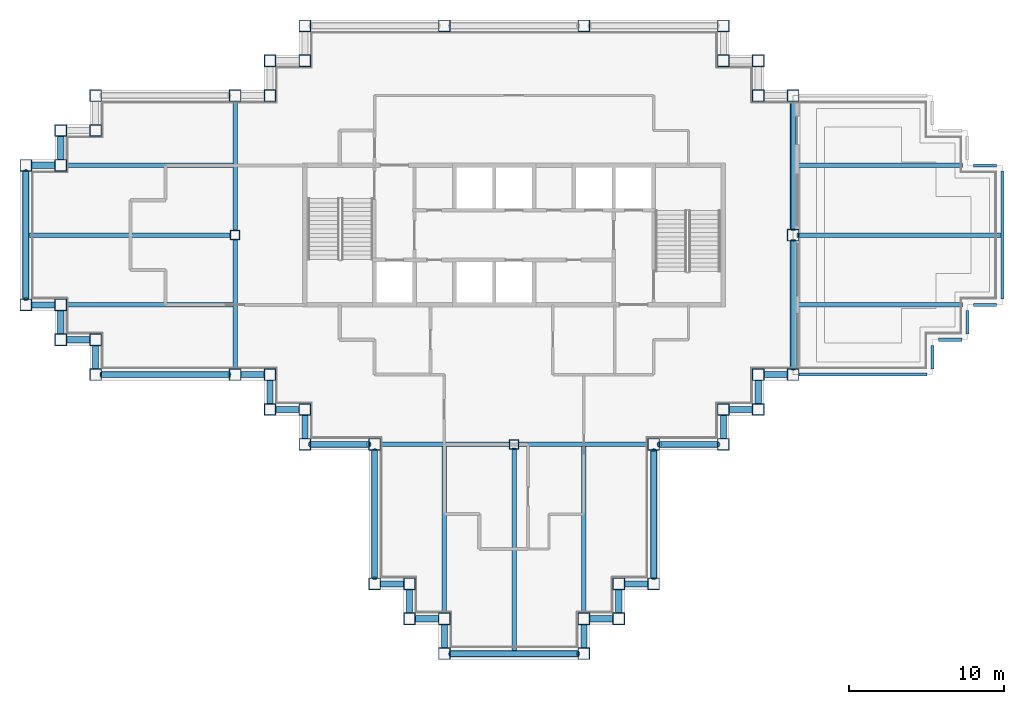
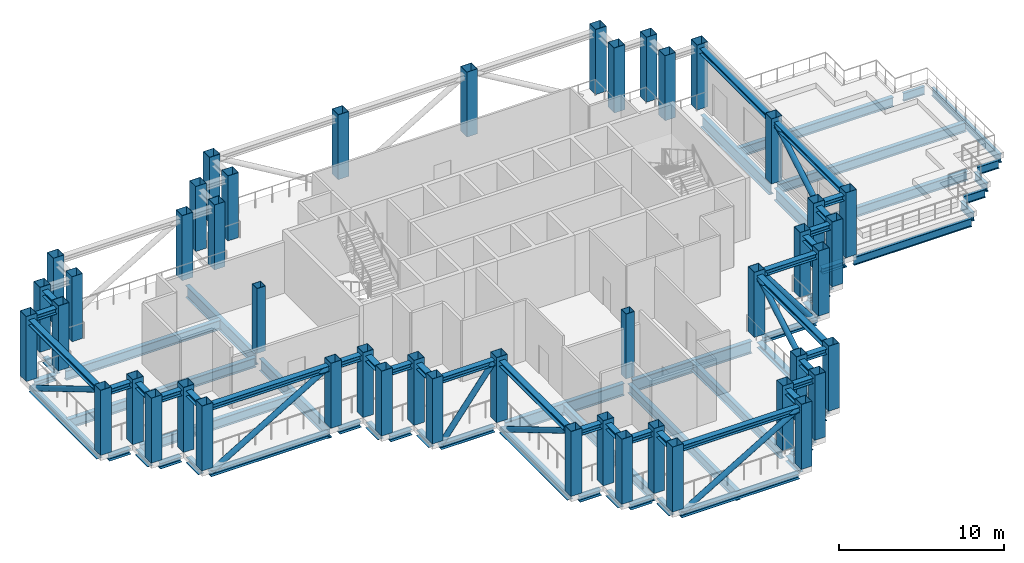
# One storey, part 1 of 10: 82 beams, 47 columns, 8 members.
"""IFC4 building model written with IfcOpenShell, lengths in metres."""

import ifcopenshell
import ifcopenshell.guid

model = None  # the IFC model being written
_history = None  # IfcOwnerHistory: only IFC2X3 demands one
_inside = {}  # id of a spatial element -> (the spatial element, [elements in it])
_under = {}  # id of a project, library or spatial element -> (it, [spatial elements below it])
_declared = {}  # id of a project -> (the project, [libraries it declares])
_typed = {}  # id of a type object -> (the type object, [elements of that type])
_made_of = {}  # id of a material, layer set ... -> (it, [elements and type objects made of it])


def new_model(schema):
    """Start an empty IFC model of exactly this schema.

    Asked for "IFC4X3", IfcOpenShell would pick the latest addendum, in which some entities
    have other attributes; the version numbers below select the first issue.
    IFC2X3 requires an IfcOwnerHistory on every rooted entity: one is made here for all.
    """
    global model, _history
    if schema == "IFC4X3":
        model = ifcopenshell.file(schema_version=(4, 3, 0, 0))
    else:
        model = ifcopenshell.file(schema=schema)
    _inside.clear()
    _under.clear()
    _declared.clear()
    _typed.clear()
    _made_of.clear()
    _history = None
    if model.schema == "IFC2X3":
        org = make("IfcOrganization", Name="unknown")
        user = make(
            "IfcPersonAndOrganization",
            ThePerson=make("IfcPerson", FamilyName="unknown"),
            TheOrganization=org,
        )
        app = make(
            "IfcApplication",
            ApplicationDeveloper=org,
            Version="unknown",
            ApplicationFullName="unknown",
            ApplicationIdentifier="unknown",
        )
        _history = make(
            "IfcOwnerHistory",
            OwningUser=user,
            OwningApplication=app,
            ChangeAction="ADDED",
            CreationDate=0,
        )
    return model


def make(cls, **values):
    """One entity of the class cls with the attributes given. An attribute that is None is left unset."""
    return model.create_entity(
        cls, **{name: value for name, value in values.items() if value is not None}
    )


def rooted(cls, **values):
    """An entity with a GlobalId (a new one), such as an element, a storey or a relation."""
    return make(cls, GlobalId=ifcopenshell.guid.new(), OwnerHistory=_history, **values)


def si_unit(unit_type, name, prefix=None):
    """IfcSIUnit, for example si_unit("LENGTHUNIT", "METRE", prefix="MILLI")."""
    return make("IfcSIUnit", UnitType=unit_type, Prefix=prefix, Name=name)


def assignment(units):
    """IfcUnitAssignment: the units of a project."""
    return None if units is None else make("IfcUnitAssignment", Units=units)


def point(xyz):
    """IfcCartesianPoint."""
    return None if xyz is None else make("IfcCartesianPoint", Coordinates=xyz)


def direction(xyz):
    """IfcDirection."""
    return None if xyz is None else make("IfcDirection", DirectionRatios=xyz)


def frame(location, z_axis=None, x_axis=None):
    """IfcAxis2Placement3D, a coordinate frame: its origin and axes. An axis left out is left unset."""
    return make(
        "IfcAxis2Placement3D",
        Location=point(location),
        Axis=direction(z_axis),
        RefDirection=direction(x_axis),
    )


def frame_2d(location, x_axis=None):
    """IfcAxis2Placement2D, a coordinate frame in the plane: its origin and x axis."""
    return make(
        "IfcAxis2Placement2D", Location=point(location), RefDirection=direction(x_axis)
    )


def origin():
    """The frame at (0, 0, 0) with its axes left unset."""
    return frame((0.0, 0.0, 0.0))


def origin_2d():
    """The frame at (0, 0) in the plane with its x axis left unset."""
    return frame_2d((0.0, 0.0))


def place(relative_to, where):
    """IfcLocalPlacement: puts the frame where relative to a parent placement (None: the world)."""
    return make(
        "IfcLocalPlacement", PlacementRelTo=relative_to, RelativePlacement=where
    )


def context(
    kind, dimensions, precision=None, world=None, true_north=None, identifier=None
):
    """IfcGeometricRepresentationContext, for example the 3D "Model" context."""
    return make(
        "IfcGeometricRepresentationContext",
        ContextIdentifier=identifier,
        ContextType=kind,
        CoordinateSpaceDimension=dimensions,
        Precision=precision,
        WorldCoordinateSystem=world,
        TrueNorth=true_north,
    )


def subcontext(parent, identifier, kind, view, scale=None):
    """IfcGeometricRepresentationSubContext, for example "Body" below "Model"."""
    return make(
        "IfcGeometricRepresentationSubContext",
        ContextIdentifier=identifier,
        ContextType=kind,
        ParentContext=parent,
        TargetScale=scale,
        TargetView=view,
    )


def project(units=None, contexts=None):
    """IfcProject with its units and contexts."""
    return rooted(
        "IfcProject",
        Name="project",
        RepresentationContexts=contexts,
        UnitsInContext=assignment(units),
    )


def spatial(cls, under=None, at=None, **own):
    """A site, building, storey or space (cls), placed at a placement, below another one or the project."""
    s = rooted(cls, ObjectPlacement=at, **own)
    if under is not None:
        _under.setdefault(under.id(), (under, []))[1].append(s)
    return s


def profile(cls, at=None, kind="AREA", **sizes):
    """A parametric profile (cls). Its sizes go by their IFC names, for example OverallWidth=200.0."""
    return make(cls, ProfileType=kind, Position=at, **sizes)


def hollow_rectangle(**sizes):
    """IfcRectangleHollowProfileDef."""
    return profile("IfcRectangleHollowProfileDef", **sizes)


def hollow_circle(**sizes):
    """IfcCircleHollowProfileDef."""
    return profile("IfcCircleHollowProfileDef", **sizes)


def i_section(**sizes):
    """IfcIShapeProfileDef."""
    return profile("IfcIShapeProfileDef", **sizes)


def extrude(swept, where, along, depth):
    """IfcExtrudedAreaSolid: the profile swept, set in the frame where, extruded along a direction by depth."""
    return make(
        "IfcExtrudedAreaSolid",
        SweptArea=swept,
        Position=where,
        ExtrudedDirection=direction(along),
        Depth=depth,
    )


def shape(context_of_items, identifier, shape_type, items):
    """IfcShapeRepresentation: the items that make up one representation, for example the "Body"."""
    return make(
        "IfcShapeRepresentation",
        ContextOfItems=context_of_items,
        RepresentationIdentifier=identifier,
        RepresentationType=shape_type,
        Items=items,
    )


def material(Name=None, Category=None):
    """IfcMaterial."""
    return make("IfcMaterial", Name=Name, Category=Category)


def material_profile(
    of_material, cross_section, Name=None, Category=None, Priority=None
):
    """IfcMaterialProfile: a cross section and its material."""
    return make(
        "IfcMaterialProfile",
        Name=Name,
        Material=of_material,
        Profile=cross_section,
        Priority=Priority,
        Category=Category,
    )


def profile_set(profiles, Name=None, composite=None):
    """IfcMaterialProfileSet."""
    return make(
        "IfcMaterialProfileSet",
        Name=Name,
        MaterialProfiles=profiles,
        CompositeProfile=composite,
    )


def made_of(thing, what):
    """Note that an element or type object is made of a material, layer set ...; save() writes the relation."""
    if what is not None:
        _made_of.setdefault(what.id(), (what, []))[1].append(thing)
    return thing


def type_object(cls, material=None, **own):
    """A type object (cls), such as IfcWallType, which elements share."""
    return made_of(rooted(cls, **own), material)


def element(
    cls,
    number,
    at=None,
    inside=None,
    cuts=None,
    type_object=None,
    material=None,
    context=None,
    identifier="Body",
    shape_type=None,
    held_by="IfcProductDefinitionShape",
    body=None,
    shapes=None,
    **own,
):
    """One element of the class cls, such as IfcWall. Its Tag is "e" and its number.

    at: its placement. inside: the storey or other place that contains it. cuts: it is an
    opening in that element (IfcRelVoidsElement). A single representation is given by context,
    identifier, shape_type and body (its items); several are given by shapes. held_by: the class
    of the entity that holds the representations. save() writes the other relations.
    """
    e = rooted(cls, Tag="e%d" % number, ObjectPlacement=at, **own)
    if body is not None:
        shapes = [shape(context, identifier, shape_type, body)]
    if shapes is not None:
        e.Representation = make(held_by, Representations=shapes)
    if inside is not None:
        _inside.setdefault(inside.id(), (inside, []))[1].append(e)
    if cuts is not None:
        rooted(
            "IfcRelVoidsElement", RelatingBuildingElement=cuts, RelatedOpeningElement=e
        )
    if type_object is not None:
        _typed.setdefault(type_object.id(), (type_object, []))[1].append(e)
    return made_of(e, material)


def aggregate(whole, parts):
    """IfcRelAggregates: a whole, such as a stair, and the parts it consists of."""
    return rooted("IfcRelAggregates", RelatingObject=whole, RelatedObjects=parts)


def save(model, path):
    """Write the relations noted so far, then the file.

    IfcRelAggregates (storeys below a building ...), IfcRelContainedInSpatialStructure (elements
    in a storey), IfcRelDefinesByType, IfcRelAssociatesMaterial and IfcRelDeclares: one each for
    every whole, place, type object, material and project.
    """
    for whole, parts in _under.values():
        aggregate(whole, parts)
    for where, things in _inside.values():
        rooted(
            "IfcRelContainedInSpatialStructure",
            RelatedElements=things,
            RelatingStructure=where,
        )
    for kind, things in _typed.values():
        rooted("IfcRelDefinesByType", RelatedObjects=things, RelatingType=kind)
    for what, things in _made_of.values():
        rooted("IfcRelAssociatesMaterial", RelatedObjects=things, RelatingMaterial=what)
    for by, libraries in _declared.values():
        rooted("IfcRelDeclares", RelatingContext=by, RelatedDefinitions=libraries)
    model.write(path)


model = new_model("IFC4")

# Units and contexts
model_context = context("Model", 3, precision=1e-05, world=origin(), true_north=direction((0.0, 1.0)))
body_context = subcontext(model_context, "Body", "Model", "MODEL_VIEW")
ifc_project = project(units=[si_unit("LENGTHUNIT", "METRE"), si_unit("AREAUNIT", "SQUARE_METRE"), si_unit("VOLUMEUNIT", "CUBIC_METRE"), si_unit("PLANEANGLEUNIT", "RADIAN"), si_unit("MASSUNIT", "GRAM", prefix="KILO")], contexts=[model_context])

# Site, building, storey
site_placement = place(None, origin())
site = spatial("IfcSite", under=ifc_project, at=site_placement, CompositionType="ELEMENT")
building_placement = place(site_placement, origin())
building = spatial("IfcBuilding", under=site, at=building_placement, Name="Caravel Reach Hotel and Residences", CompositionType="ELEMENT")
storey_placement = place(building_placement, frame((0.0, 0.0, 187.60009765625)))
storey = spatial("IfcBuildingStorey", under=building, at=storey_placement, Name="L47", CompositionType="ELEMENT", Elevation=187.60009765625)

# Columns
ifc_material_1 = material(Name="Concrete-filled steel tube Q390B with Concrete C60 infill", Category="concrete")
ifc_material_profile_1 = material_profile(ifc_material_1, hollow_rectangle(XDim=0.60009765625, YDim=0.60009765625, WallThickness=0.02001953125, at=origin_2d()), Name="RHS 600x600x20")
ifc_profile_set_1 = profile_set([ifc_material_profile_1], Name="Concrete-filled steel tube Q390B with Concrete C60 infill")
column_type_1 = type_object("IfcColumnType", Name="CFT 600x600 Q390B C60", PredefinedType="COLUMN", material=ifc_profile_set_1)
for number, where, z_axis, x_axis, name in (
    (1, (31.5, 13.5, 0.0), (0.0, 0.0, 1.0), (1.0, 0.0, 0.0), "C8 column"),
    (2, (13.5, 27.0, 0.0), (0.0, 0.0, 1.0), (1.0, 0.0, 0.0), "C8 column"),
):
    element("IfcColumn", number, at=place(storey_placement, frame(where, z_axis=z_axis, x_axis=x_axis)), inside=storey, type_object=column_type_1, Name=name, PredefinedType="COLUMN", context=body_context, shape_type="SweptSolid", body=[
        extrude(hollow_rectangle(XDim=0.60009765625, YDim=0.60009765625, WallThickness=0.02001953125, at=origin_2d()), origin(), (0.0, 0.0, 1.0), 4.7998046875),
    ])
ifc_material_2 = material(Name="Concrete-filled steel tube Q390B with Concrete C60 infill", Category="concrete")
ifc_material_profile_2 = material_profile(ifc_material_2, hollow_rectangle(XDim=0.75, YDim=0.75, WallThickness=0.02392578125, at=origin_2d()), Name="RHS 750x750x24")
ifc_profile_set_2 = profile_set([ifc_material_profile_2], Name="Concrete-filled steel tube Q390B with Concrete C60 infill")
column_type_2 = type_object("IfcColumnType", Name="CFT 750x750 Q390B C60", PredefinedType="COLUMN", material=ifc_profile_set_2)
for number, where, z_axis, x_axis, name in (
    (3, (40.5, 13.5, 0.0), (0.0, 0.0, 1.0), (1.0, 0.0, 0.0), "C14 column"),
    (4, (45.0, 13.5, 0.0), (0.0, 0.0, 1.0), (1.0, 0.0, 0.0), "C14 column"),
    (5, (45.0, 15.75, 0.0), (0.0, 0.0, 1.0), (1.0, 0.0, 0.0), "C14 column"),
    (6, (47.25, 15.75, 0.0), (0.0, 0.0, 1.0), (1.0, 0.0, 0.0), "C14 column"),
    (7, (47.25, 18.0, 0.0), (0.0, 0.0, 1.0), (1.0, 0.0, 0.0), "C14 column"),
    (8, (49.5, 18.0, 0.0), (0.0, 0.0, 1.0), (1.0, 0.0, 0.0), "C14 column"),
    (9, (49.5, 27.0, 0.0), (0.0, 0.0, 1.0), (1.0, 0.0, 0.0), "C14 column"),
    (10, (49.5, 36.0, 0.0), (0.0, 0.0, 1.0), (1.0, 0.0, 0.0), "C14 column"),
    (11, (47.25, 36.0, 0.0), (0.0, 0.0, 1.0), (1.0, 0.0, 0.0), "C14 column"),
    (12, (47.25, 38.25, 0.0), (0.0, 0.0, 1.0), (1.0, 0.0, 0.0), "C14 column"),
    (13, (45.0, 38.25, 0.0), (0.0, 0.0, 1.0), (1.0, 0.0, 0.0), "C14 column"),
    (14, (45.0, 40.5, 0.0), (0.0, 0.0, 1.0), (1.0, 0.0, 0.0), "C14 column"),
    (15, (36.0, 40.5, 0.0), (0.0, 0.0, 1.0), (1.0, 0.0, 0.0), "C14 column"),
    (16, (27.0, 40.5, 0.0), (0.0, 0.0, 1.0), (1.0, 0.0, 0.0), "C14 column"),
    (17, (18.0, 40.5, 0.0), (0.0, 0.0, 1.0), (1.0, 0.0, 0.0), "C14 column"),
    (18, (18.0, 38.25, 0.0), (0.0, 0.0, 1.0), (1.0, 0.0, 0.0), "C14 column"),
    (19, (15.75, 38.25, 0.0), (0.0, 0.0, 1.0), (1.0, 0.0, 0.0), "C14 column"),
    (20, (15.75, 36.0, 0.0), (0.0, 0.0, 1.0), (1.0, 0.0, 0.0), "C14 column"),
    (21, (13.5, 36.0, 0.0), (0.0, 0.0, 1.0), (1.0, 0.0, 0.0), "C14 column"),
    (22, (4.5, 36.0, 0.0), (0.0, 0.0, 1.0), (1.0, 0.0, 0.0), "C14 column"),
    (23, (4.5, 33.75, 0.0), (0.0, 0.0, 1.0), (1.0, 0.0, 0.0), "C14 column"),
    (24, (2.25, 33.75, 0.0), (0.0, 0.0, 1.0), (1.0, 0.0, 0.0), "C14 column"),
    (25, (2.25, 31.5, 0.0), (0.0, 0.0, 1.0), (1.0, 0.0, 0.0), "C14 column"),
    (26, (0.0, 31.5, 0.0), (0.0, 0.0, 1.0), (1.0, 0.0, 0.0), "C14 column"),
    (27, (0.0, 22.5, 0.0), (0.0, 0.0, 1.0), (1.0, 0.0, 0.0), "C14 column"),
    (28, (2.25, 22.5, 0.0), (0.0, 0.0, 1.0), (1.0, 0.0, 0.0), "C14 column"),
    (29, (2.25, 20.25, 0.0), (0.0, 0.0, 1.0), (1.0, 0.0, 0.0), "C14 column"),
    (30, (4.5, 20.25, 0.0), (0.0, 0.0, 1.0), (1.0, 0.0, 0.0), "C14 column"),
    (31, (4.5, 18.0, 0.0), (0.0, 0.0, 1.0), (1.0, 0.0, 0.0), "C14 column"),
    (32, (13.5, 18.0, 0.0), (0.0, 0.0, 1.0), (1.0, 0.0, 0.0), "C14 column"),
    (33, (15.75, 18.0, 0.0), (0.0, 0.0, 1.0), (1.0, 0.0, 0.0), "C14 column"),
    (34, (15.75, 15.75, 0.0), (0.0, 0.0, 1.0), (1.0, 0.0, 0.0), "C14 column"),
    (35, (18.0, 15.75, 0.0), (0.0, 0.0, 1.0), (1.0, 0.0, 0.0), "C14 column"),
    (36, (18.0, 13.5, 0.0), (0.0, 0.0, 1.0), (1.0, 0.0, 0.0), "C14 column"),
    (37, (22.5, 13.5, 0.0), (0.0, 0.0, 1.0), (1.0, 0.0, 0.0), "C14 column"),
    (38, (22.5, 4.5, 0.0), (0.0, 0.0, 1.0), (1.0, 0.0, 0.0), "C14 column"),
    (39, (24.75, 4.5, 0.0), (0.0, 0.0, 1.0), (1.0, 0.0, 0.0), "C14 column"),
    (40, (24.75, 2.25, 0.0), (0.0, 0.0, 1.0), (1.0, 0.0, 0.0), "C14 column"),
    (41, (27.0, 2.25, 0.0), (0.0, 0.0, 1.0), (1.0, 0.0, 0.0), "C14 column"),
    (42, (27.0, 0.0, 0.0), (0.0, 0.0, 1.0), (1.0, 0.0, 0.0), "C14 column"),
    (43, (36.0, 0.0, 0.0), (0.0, 0.0, 1.0), (1.0, 0.0, 0.0), "C14 column"),
    (44, (36.0, 2.25, 0.0), (0.0, 0.0, 1.0), (1.0, 0.0, 0.0), "C14 column"),
    (45, (38.25, 2.25, 0.0), (0.0, 0.0, 1.0), (1.0, 0.0, 0.0), "C14 column"),
    (46, (38.25, 4.5, 0.0), (0.0, 0.0, 1.0), (1.0, 0.0, 0.0), "C14 column"),
    (47, (40.5, 4.5, 0.0), (0.0, 0.0, 1.0), (1.0, 0.0, 0.0), "C14 column"),
):
    element("IfcColumn", number, at=place(storey_placement, frame(where, z_axis=z_axis, x_axis=x_axis)), inside=storey, type_object=column_type_2, Name=name, PredefinedType="COLUMN", context=body_context, shape_type="SweptSolid", body=[
        extrude(hollow_rectangle(XDim=0.75, YDim=0.75, WallThickness=0.02392578125, at=origin_2d()), origin(), (0.0, 0.0, 1.0), 4.7998046875),
    ])

# Beams
ifc_material_3 = material(Name="Structural steel Q355B", Category="steel")
ifc_material_profile_3 = material_profile(ifc_material_3, i_section(OverallWidth=0.300048828125, OverallDepth=0.699951171875, WebThickness=0.012939453125, FlangeThickness=0.02392578125, FilletRadius=0.01806640625, at=origin_2d()), Name="HN 700x300x13x24")
ifc_profile_set_3 = profile_set([ifc_material_profile_3], Name="Structural steel Q355B")
beam_type_1 = type_object("IfcBeamType", Name="Beam HN 700x300x13x24", PredefinedType="BEAM", material=ifc_profile_set_3)
beam_1_placement = place(storey_placement, frame((27.0, 13.39990234375, -0.75), z_axis=(0.0, -1.0, 0.0), x_axis=(1.0, 0.0, 0.0)))
element("IfcBeam", 48, at=beam_1_placement, inside=storey, type_object=beam_type_1, Name="B2 HN 700x300x13x24", PredefinedType="BEAM", context=body_context, shape_type="SweptSolid", body=[
    extrude(i_section(OverallWidth=0.300048828125, OverallDepth=0.699951171875, WebThickness=0.012939453125, FlangeThickness=0.02392578125, FilletRadius=0.01806640625, at=origin_2d()), origin(), (0.0, 0.0, 1.0), 10.824951171875),
])
beam_2_placement = place(storey_placement, frame((31.5, 13.25, -0.75), z_axis=(0.0, -1.0, 0.0), x_axis=(1.0, 0.0, 0.0)))
element("IfcBeam", 49, at=beam_2_placement, inside=storey, type_object=beam_type_1, Name="B2 HN 700x300x13x24", PredefinedType="BEAM", context=body_context, shape_type="SweptSolid", body=[
    extrude(i_section(OverallWidth=0.300048828125, OverallDepth=0.699951171875, WebThickness=0.012939453125, FlangeThickness=0.02392578125, FilletRadius=0.01806640625, at=origin_2d()), origin(), (0.0, 0.0, 1.0), 13.14990234375),
])
for number, where, z_axis, x_axis, name in (
    (50, (36.0, 13.39990234375, -0.75), (0.0, -1.0, 0.0), (1.0, 0.0, 0.0), "B2 HN 700x300x13x24"),
    (51, (13.39990234375, 22.5, -0.75), (-1.0, 0.0, 0.0), (0.0, -1.0, 0.0), "B2 HN 700x300x13x24"),
):
    element("IfcBeam", number, at=place(storey_placement, frame(where, z_axis=z_axis, x_axis=x_axis)), inside=storey, type_object=beam_type_1, Name=name, PredefinedType="BEAM", context=body_context, shape_type="SweptSolid", body=[
        extrude(i_section(OverallWidth=0.300048828125, OverallDepth=0.699951171875, WebThickness=0.012939453125, FlangeThickness=0.02392578125, FilletRadius=0.01806640625, at=origin_2d()), origin(), (0.0, 0.0, 1.0), 10.824951171875),
    ])
beam_3_placement = place(storey_placement, frame((13.25, 27.0, -0.75), z_axis=(-1.0, 0.0, 0.0), x_axis=(0.0, -1.0, 0.0)))
element("IfcBeam", 52, at=beam_3_placement, inside=storey, type_object=beam_type_1, Name="B2 HN 700x300x13x24", PredefinedType="BEAM", context=body_context, shape_type="SweptSolid", body=[
    extrude(i_section(OverallWidth=0.300048828125, OverallDepth=0.699951171875, WebThickness=0.012939453125, FlangeThickness=0.02392578125, FilletRadius=0.01806640625, at=origin_2d()), origin(), (0.0, 0.0, 1.0), 13.14990234375),
])
for number, where, z_axis, x_axis, name in (
    (53, (13.39990234375, 31.5, -0.75), (-1.0, 0.0, 0.0), (0.0, -1.0, 0.0), "B2 HN 700x300x13x24"),
    (54, (49.60009765625, 22.5, -0.75), (1.0, 0.0, 0.0), (0.0, 1.0, 0.0), "B2 HN 700x300x13x24"),
):
    element("IfcBeam", number, at=place(storey_placement, frame(where, z_axis=z_axis, x_axis=x_axis)), inside=storey, type_object=beam_type_1, Name=name, PredefinedType="BEAM", context=body_context, shape_type="SweptSolid", body=[
        extrude(i_section(OverallWidth=0.300048828125, OverallDepth=0.699951171875, WebThickness=0.012939453125, FlangeThickness=0.02392578125, FilletRadius=0.01806640625, at=origin_2d()), origin(), (0.0, 0.0, 1.0), 10.824951171875),
    ])
beam_4_placement = place(storey_placement, frame((49.75, 27.0, -0.75), z_axis=(1.0, 0.0, 0.0), x_axis=(0.0, 1.0, 0.0)))
element("IfcBeam", 55, at=beam_4_placement, inside=storey, type_object=beam_type_1, Name="B2 HN 700x300x13x24", PredefinedType="BEAM", context=body_context, shape_type="SweptSolid", body=[
    extrude(i_section(OverallWidth=0.300048828125, OverallDepth=0.699951171875, WebThickness=0.012939453125, FlangeThickness=0.02392578125, FilletRadius=0.01806640625, at=origin_2d()), origin(), (0.0, 0.0, 1.0), 13.14990234375),
])
beam_5_placement = place(storey_placement, frame((49.60009765625, 31.5, -0.75), z_axis=(1.0, 0.0, 0.0), x_axis=(0.0, 1.0, 0.0)))
element("IfcBeam", 56, at=beam_5_placement, inside=storey, type_object=beam_type_1, Name="B2 HN 700x300x13x24", PredefinedType="BEAM", context=body_context, shape_type="SweptSolid", body=[
    extrude(i_section(OverallWidth=0.300048828125, OverallDepth=0.699951171875, WebThickness=0.012939453125, FlangeThickness=0.02392578125, FilletRadius=0.01806640625, at=origin_2d()), origin(), (0.0, 0.0, 1.0), 10.824951171875),
])
ifc_material_4 = material(Name="Structural steel Q355B", Category="steel")
ifc_material_profile_4 = material_profile(ifc_material_4, i_section(OverallWidth=0.300048828125, OverallDepth=0.89990234375, WebThickness=0.01611328125, FlangeThickness=0.028076171875, FilletRadius=0.01806640625, at=origin_2d()), Name="HN 900x300x16x28")
ifc_profile_set_4 = profile_set([ifc_material_profile_4], Name="Structural steel Q355B")
beam_type_2 = type_object("IfcBeamType", Name="Beam HN 900x300x16x28", PredefinedType="BEAM", material=ifc_profile_set_4)
for number, where, z_axis, x_axis, name in (
    (57, (22.875, 13.5, -0.85009765625), (1.0, 0.0, 0.0), (0.0, 1.0, 0.0), "B3 HN 900x300x16x28"),
    (58, (31.800048828125, 13.5, -0.85009765625), (1.0, 0.0, 0.0), (0.0, 1.0, 0.0), "B3 HN 900x300x16x28"),
    (59, (13.5, 18.375, -0.85009765625), (0.0, 1.0, 0.0), (-1.0, 0.0, 0.0), "B3 HN 900x300x16x28"),
    (60, (13.5, 27.300048828125, -0.85009765625), (0.0, 1.0, 0.0), (-1.0, 0.0, 0.0), "B3 HN 900x300x16x28"),
):
    element("IfcBeam", number, at=place(storey_placement, frame(where, z_axis=z_axis, x_axis=x_axis)), inside=storey, type_object=beam_type_2, Name=name, PredefinedType="BEAM", context=body_context, shape_type="SweptSolid", body=[
        extrude(i_section(OverallWidth=0.300048828125, OverallDepth=0.89990234375, WebThickness=0.01611328125, FlangeThickness=0.028076171875, FilletRadius=0.01806640625, at=origin_2d()), origin(), (0.0, 0.0, 1.0), 8.324951171875),
    ])
ifc_material_5 = material(Name="Structural steel Q355B", Category="steel")
ifc_material_profile_5 = material_profile(ifc_material_5, i_section(OverallWidth=0.302001953125, OverallDepth=0.912109375, WebThickness=0.01806640625, FlangeThickness=0.033935546875, FilletRadius=0.01806640625, at=origin_2d()), Name="HN 900x300x18x34")
ifc_profile_set_5 = profile_set([ifc_material_profile_5], Name="Structural steel Q355B")
beam_type_3 = type_object("IfcBeamType", Name="Beam HN 900x300x18x34", PredefinedType="BEAM", material=ifc_profile_set_5)
for number, where, z_axis, x_axis, name in (
    (61, (49.5, 18.375, -0.856201171875), (0.0, 1.0, 0.0), (-1.0, 0.0, 0.0), "Transfer girder TG-L47-1"),
    (62, (49.5, 27.300048828125, -0.856201171875), (0.0, 1.0, 0.0), (-1.0, 0.0, 0.0), "Transfer girder TG-L47-2"),
):
    element("IfcBeam", number, at=place(storey_placement, frame(where, z_axis=z_axis, x_axis=x_axis)), inside=storey, type_object=beam_type_3, Name=name, PredefinedType="BEAM", context=body_context, shape_type="SweptSolid", body=[
        extrude(i_section(OverallWidth=0.302001953125, OverallDepth=0.912109375, WebThickness=0.01806640625, FlangeThickness=0.033935546875, FilletRadius=0.01806640625, at=origin_2d()), origin(), (0.0, 0.0, 1.0), 8.324951171875),
    ])
ifc_material_6 = material(Name="Structural steel Q355B", Category="steel")
ifc_material_profile_6 = material_profile(ifc_material_6, i_section(OverallWidth=0.39990234375, OverallDepth=0.39990234375, WebThickness=0.012939453125, FlangeThickness=0.02099609375, FilletRadius=0.02197265625, at=origin_2d()), Name="HW 400x400x13x21")
ifc_profile_set_6 = profile_set([ifc_material_profile_6], Name="Structural steel Q355B")
beam_type_4 = type_object("IfcBeamType", Name="Beam HW 400x400x13x21", PredefinedType="BEAM", material=ifc_profile_set_6)
for number, where, z_axis, x_axis, name in (
    (63, (40.875, 13.5, -0.60009765625), (1.0, 0.0, 0.0), (0.0, 1.0, 0.0), "Belt truss BT-L47 bottom chord"),
    (64, (40.875, 13.5, 4.2998046875), (1.0, 0.0, 0.0), (0.0, 1.0, 0.0), "Belt truss BT-L47 top chord"),
):
    element("IfcBeam", number, at=place(storey_placement, frame(where, z_axis=z_axis, x_axis=x_axis)), inside=storey, type_object=beam_type_4, Name=name, PredefinedType="BEAM", context=body_context, shape_type="SweptSolid", body=[
        extrude(i_section(OverallWidth=0.39990234375, OverallDepth=0.39990234375, WebThickness=0.012939453125, FlangeThickness=0.02099609375, FilletRadius=0.02197265625, at=origin_2d()), origin(), (0.0, 0.0, 1.0), 3.75),
    ])
for number, where, z_axis, x_axis, name in (
    (65, (45.0, 13.875, -0.60009765625), (0.0, 1.0, 0.0), (-1.0, 0.0, 0.0), "Belt truss BT-L47 bottom chord"),
    (66, (45.0, 13.875, 4.2998046875), (0.0, 1.0, 0.0), (-1.0, 0.0, 0.0), "Belt truss BT-L47 top chord"),
    (67, (45.375, 15.75, -0.60009765625), (1.0, 0.0, 0.0), (0.0, 1.0, 0.0), "Belt truss BT-L47 bottom chord"),
    (68, (45.375, 15.75, 4.2998046875), (1.0, 0.0, 0.0), (0.0, 1.0, 0.0), "Belt truss BT-L47 top chord"),
    (69, (47.25, 16.125, -0.60009765625), (0.0, 1.0, 0.0), (-1.0, 0.0, 0.0), "Belt truss BT-L47 bottom chord"),
    (70, (47.25, 16.125, 4.2998046875), (0.0, 1.0, 0.0), (-1.0, 0.0, 0.0), "Belt truss BT-L47 top chord"),
    (71, (47.625, 18.0, -0.60009765625), (1.0, 0.0, 0.0), (0.0, 1.0, 0.0), "Belt truss BT-L47 bottom chord"),
    (72, (47.625, 18.0, 4.2998046875), (1.0, 0.0, 0.0), (0.0, 1.0, 0.0), "Belt truss BT-L47 top chord"),
):
    element("IfcBeam", number, at=place(storey_placement, frame(where, z_axis=z_axis, x_axis=x_axis)), inside=storey, type_object=beam_type_4, Name=name, PredefinedType="BEAM", context=body_context, shape_type="SweptSolid", body=[
        extrude(i_section(OverallWidth=0.39990234375, OverallDepth=0.39990234375, WebThickness=0.012939453125, FlangeThickness=0.02099609375, FilletRadius=0.02197265625, at=origin_2d()), origin(), (0.0, 0.0, 1.0), 1.5),
    ])
for number, where, z_axis, x_axis, name in (
    (73, (49.5, 18.375, 4.2998046875), (0.0, 1.0, 0.0), (-1.0, 0.0, 0.0), "Belt truss BT-L47 top chord"),
    (74, (49.5, 27.375, 4.2998046875), (0.0, 1.0, 0.0), (-1.0, 0.0, 0.0), "Belt truss BT-L47 top chord"),
):
    element("IfcBeam", number, at=place(storey_placement, frame(where, z_axis=z_axis, x_axis=x_axis)), inside=storey, type_object=beam_type_4, Name=name, PredefinedType="BEAM", context=body_context, shape_type="SweptSolid", body=[
        extrude(i_section(OverallWidth=0.39990234375, OverallDepth=0.39990234375, WebThickness=0.012939453125, FlangeThickness=0.02099609375, FilletRadius=0.02197265625, at=origin_2d()), origin(), (0.0, 0.0, 1.0), 8.25),
    ])
for number, where, z_axis, x_axis, name in (
    (75, (2.25, 33.375, -0.60009765625), (0.0, -1.0, 0.0), (1.0, 0.0, 0.0), "Belt truss BT-L47 bottom chord"),
    (76, (2.25, 33.375, 4.2998046875), (0.0, -1.0, 0.0), (1.0, 0.0, 0.0), "Belt truss BT-L47 top chord"),
    (77, (1.875, 31.5, -0.60009765625), (-1.0, 0.0, 0.0), (0.0, -1.0, 0.0), "Belt truss BT-L47 bottom chord"),
    (78, (1.875, 31.5, 4.2998046875), (-1.0, 0.0, 0.0), (0.0, -1.0, 0.0), "Belt truss BT-L47 top chord"),
):
    element("IfcBeam", number, at=place(storey_placement, frame(where, z_axis=z_axis, x_axis=x_axis)), inside=storey, type_object=beam_type_4, Name=name, PredefinedType="BEAM", context=body_context, shape_type="SweptSolid", body=[
        extrude(i_section(OverallWidth=0.39990234375, OverallDepth=0.39990234375, WebThickness=0.012939453125, FlangeThickness=0.02099609375, FilletRadius=0.02197265625, at=origin_2d()), origin(), (0.0, 0.0, 1.0), 1.5),
    ])
for number, where, z_axis, x_axis, name in (
    (79, (0.0, 31.125, -0.60009765625), (0.0, -1.0, 0.0), (1.0, 0.0, 0.0), "Belt truss BT-L47 bottom chord"),
    (80, (0.0, 31.125, 4.2998046875), (0.0, -1.0, 0.0), (1.0, 0.0, 0.0), "Belt truss BT-L47 top chord"),
):
    element("IfcBeam", number, at=place(storey_placement, frame(where, z_axis=z_axis, x_axis=x_axis)), inside=storey, type_object=beam_type_4, Name=name, PredefinedType="BEAM", context=body_context, shape_type="SweptSolid", body=[
        extrude(i_section(OverallWidth=0.39990234375, OverallDepth=0.39990234375, WebThickness=0.012939453125, FlangeThickness=0.02099609375, FilletRadius=0.02197265625, at=origin_2d()), origin(), (0.0, 0.0, 1.0), 8.25),
    ])
for number, where, z_axis, x_axis, name in (
    (81, (0.375, 22.5, -0.60009765625), (1.0, 0.0, 0.0), (0.0, 1.0, 0.0), "Belt truss BT-L47 bottom chord"),
    (82, (0.375, 22.5, 4.2998046875), (1.0, 0.0, 0.0), (0.0, 1.0, 0.0), "Belt truss BT-L47 top chord"),
    (83, (2.25, 22.125, -0.60009765625), (0.0, -1.0, 0.0), (1.0, 0.0, 0.0), "Belt truss BT-L47 bottom chord"),
    (84, (2.25, 22.125, 4.2998046875), (0.0, -1.0, 0.0), (1.0, 0.0, 0.0), "Belt truss BT-L47 top chord"),
    (85, (2.625, 20.25, -0.60009765625), (1.0, 0.0, 0.0), (0.0, 1.0, 0.0), "Belt truss BT-L47 bottom chord"),
    (86, (2.625, 20.25, 4.2998046875), (1.0, 0.0, 0.0), (0.0, 1.0, 0.0), "Belt truss BT-L47 top chord"),
    (87, (4.5, 19.875, -0.60009765625), (0.0, -1.0, 0.0), (1.0, 0.0, 0.0), "Belt truss BT-L47 bottom chord"),
    (88, (4.5, 19.875, 4.2998046875), (0.0, -1.0, 0.0), (1.0, 0.0, 0.0), "Belt truss BT-L47 top chord"),
):
    element("IfcBeam", number, at=place(storey_placement, frame(where, z_axis=z_axis, x_axis=x_axis)), inside=storey, type_object=beam_type_4, Name=name, PredefinedType="BEAM", context=body_context, shape_type="SweptSolid", body=[
        extrude(i_section(OverallWidth=0.39990234375, OverallDepth=0.39990234375, WebThickness=0.012939453125, FlangeThickness=0.02099609375, FilletRadius=0.02197265625, at=origin_2d()), origin(), (0.0, 0.0, 1.0), 1.5),
    ])
for number, where, z_axis, x_axis, name in (
    (89, (4.875, 18.0, -0.60009765625), (1.0, 0.0, 0.0), (0.0, 1.0, 0.0), "Belt truss BT-L47 bottom chord"),
    (90, (4.875, 18.0, 4.2998046875), (1.0, 0.0, 0.0), (0.0, 1.0, 0.0), "Belt truss BT-L47 top chord"),
):
    element("IfcBeam", number, at=place(storey_placement, frame(where, z_axis=z_axis, x_axis=x_axis)), inside=storey, type_object=beam_type_4, Name=name, PredefinedType="BEAM", context=body_context, shape_type="SweptSolid", body=[
        extrude(i_section(OverallWidth=0.39990234375, OverallDepth=0.39990234375, WebThickness=0.012939453125, FlangeThickness=0.02099609375, FilletRadius=0.02197265625, at=origin_2d()), origin(), (0.0, 0.0, 1.0), 8.25),
    ])
for number, where, z_axis, x_axis, name in (
    (91, (13.875, 18.0, -0.60009765625), (1.0, 0.0, 0.0), (0.0, 1.0, 0.0), "Belt truss BT-L47 bottom chord"),
    (92, (13.875, 18.0, 4.2998046875), (1.0, 0.0, 0.0), (0.0, 1.0, 0.0), "Belt truss BT-L47 top chord"),
    (93, (15.75, 17.625, -0.60009765625), (0.0, -1.0, 0.0), (1.0, 0.0, 0.0), "Belt truss BT-L47 bottom chord"),
    (94, (15.75, 17.625, 4.2998046875), (0.0, -1.0, 0.0), (1.0, 0.0, 0.0), "Belt truss BT-L47 top chord"),
    (95, (16.125, 15.75, -0.60009765625), (1.0, 0.0, 0.0), (0.0, 1.0, 0.0), "Belt truss BT-L47 bottom chord"),
    (96, (16.125, 15.75, 4.2998046875), (1.0, 0.0, 0.0), (0.0, 1.0, 0.0), "Belt truss BT-L47 top chord"),
    (97, (18.0, 15.375, -0.60009765625), (0.0, -1.0, 0.0), (1.0, 0.0, 0.0), "Belt truss BT-L47 bottom chord"),
    (98, (18.0, 15.375, 4.2998046875), (0.0, -1.0, 0.0), (1.0, 0.0, 0.0), "Belt truss BT-L47 top chord"),
):
    element("IfcBeam", number, at=place(storey_placement, frame(where, z_axis=z_axis, x_axis=x_axis)), inside=storey, type_object=beam_type_4, Name=name, PredefinedType="BEAM", context=body_context, shape_type="SweptSolid", body=[
        extrude(i_section(OverallWidth=0.39990234375, OverallDepth=0.39990234375, WebThickness=0.012939453125, FlangeThickness=0.02099609375, FilletRadius=0.02197265625, at=origin_2d()), origin(), (0.0, 0.0, 1.0), 1.5),
    ])
for number, where, z_axis, x_axis, name in (
    (99, (18.375, 13.5, -0.60009765625), (1.0, 0.0, 0.0), (0.0, 1.0, 0.0), "Belt truss BT-L47 bottom chord"),
    (100, (18.375, 13.5, 4.2998046875), (1.0, 0.0, 0.0), (0.0, 1.0, 0.0), "Belt truss BT-L47 top chord"),
):
    element("IfcBeam", number, at=place(storey_placement, frame(where, z_axis=z_axis, x_axis=x_axis)), inside=storey, type_object=beam_type_4, Name=name, PredefinedType="BEAM", context=body_context, shape_type="SweptSolid", body=[
        extrude(i_section(OverallWidth=0.39990234375, OverallDepth=0.39990234375, WebThickness=0.012939453125, FlangeThickness=0.02099609375, FilletRadius=0.02197265625, at=origin_2d()), origin(), (0.0, 0.0, 1.0), 3.75),
    ])
for number, where, z_axis, x_axis, name in (
    (101, (22.5, 13.125, -0.60009765625), (0.0, -1.0, 0.0), (1.0, 0.0, 0.0), "Belt truss BT-L47 bottom chord"),
    (102, (22.5, 13.125, 4.2998046875), (0.0, -1.0, 0.0), (1.0, 0.0, 0.0), "Belt truss BT-L47 top chord"),
):
    element("IfcBeam", number, at=place(storey_placement, frame(where, z_axis=z_axis, x_axis=x_axis)), inside=storey, type_object=beam_type_4, Name=name, PredefinedType="BEAM", context=body_context, shape_type="SweptSolid", body=[
        extrude(i_section(OverallWidth=0.39990234375, OverallDepth=0.39990234375, WebThickness=0.012939453125, FlangeThickness=0.02099609375, FilletRadius=0.02197265625, at=origin_2d()), origin(), (0.0, 0.0, 1.0), 8.25),
    ])
for number, where, z_axis, x_axis, name in (
    (103, (22.875, 4.5, -0.60009765625), (1.0, 0.0, 0.0), (0.0, 1.0, 0.0), "Belt truss BT-L47 bottom chord"),
    (104, (22.875, 4.5, 4.2998046875), (1.0, 0.0, 0.0), (0.0, 1.0, 0.0), "Belt truss BT-L47 top chord"),
    (105, (24.75, 4.125, -0.60009765625), (0.0, -1.0, 0.0), (1.0, 0.0, 0.0), "Belt truss BT-L47 bottom chord"),
    (106, (24.75, 4.125, 4.2998046875), (0.0, -1.0, 0.0), (1.0, 0.0, 0.0), "Belt truss BT-L47 top chord"),
    (107, (25.125, 2.25, -0.60009765625), (1.0, 0.0, 0.0), (0.0, 1.0, 0.0), "Belt truss BT-L47 bottom chord"),
    (108, (25.125, 2.25, 4.2998046875), (1.0, 0.0, 0.0), (0.0, 1.0, 0.0), "Belt truss BT-L47 top chord"),
    (109, (27.0, 1.875, -0.60009765625), (0.0, -1.0, 0.0), (1.0, 0.0, 0.0), "Belt truss BT-L47 bottom chord"),
    (110, (27.0, 1.875, 4.2998046875), (0.0, -1.0, 0.0), (1.0, 0.0, 0.0), "Belt truss BT-L47 top chord"),
):
    element("IfcBeam", number, at=place(storey_placement, frame(where, z_axis=z_axis, x_axis=x_axis)), inside=storey, type_object=beam_type_4, Name=name, PredefinedType="BEAM", context=body_context, shape_type="SweptSolid", body=[
        extrude(i_section(OverallWidth=0.39990234375, OverallDepth=0.39990234375, WebThickness=0.012939453125, FlangeThickness=0.02099609375, FilletRadius=0.02197265625, at=origin_2d()), origin(), (0.0, 0.0, 1.0), 1.5),
    ])
for number, where, z_axis, x_axis, name in (
    (111, (27.375, 0.0, -0.60009765625), (1.0, 0.0, 0.0), (0.0, 1.0, 0.0), "Belt truss BT-L47 bottom chord"),
    (112, (27.375, 0.0, 4.2998046875), (1.0, 0.0, 0.0), (0.0, 1.0, 0.0), "Belt truss BT-L47 top chord"),
):
    element("IfcBeam", number, at=place(storey_placement, frame(where, z_axis=z_axis, x_axis=x_axis)), inside=storey, type_object=beam_type_4, Name=name, PredefinedType="BEAM", context=body_context, shape_type="SweptSolid", body=[
        extrude(i_section(OverallWidth=0.39990234375, OverallDepth=0.39990234375, WebThickness=0.012939453125, FlangeThickness=0.02099609375, FilletRadius=0.02197265625, at=origin_2d()), origin(), (0.0, 0.0, 1.0), 8.25),
    ])
for number, where, z_axis, x_axis, name in (
    (113, (36.0, 0.375, -0.60009765625), (0.0, 1.0, 0.0), (-1.0, 0.0, 0.0), "Belt truss BT-L47 bottom chord"),
    (114, (36.0, 0.375, 4.2998046875), (0.0, 1.0, 0.0), (-1.0, 0.0, 0.0), "Belt truss BT-L47 top chord"),
    (115, (36.375, 2.25, -0.60009765625), (1.0, 0.0, 0.0), (0.0, 1.0, 0.0), "Belt truss BT-L47 bottom chord"),
    (116, (36.375, 2.25, 4.2998046875), (1.0, 0.0, 0.0), (0.0, 1.0, 0.0), "Belt truss BT-L47 top chord"),
    (117, (38.25, 2.625, -0.60009765625), (0.0, 1.0, 0.0), (-1.0, 0.0, 0.0), "Belt truss BT-L47 bottom chord"),
    (118, (38.25, 2.625, 4.2998046875), (0.0, 1.0, 0.0), (-1.0, 0.0, 0.0), "Belt truss BT-L47 top chord"),
    (119, (38.625, 4.5, -0.60009765625), (1.0, 0.0, 0.0), (0.0, 1.0, 0.0), "Belt truss BT-L47 bottom chord"),
    (120, (38.625, 4.5, 4.2998046875), (1.0, 0.0, 0.0), (0.0, 1.0, 0.0), "Belt truss BT-L47 top chord"),
):
    element("IfcBeam", number, at=place(storey_placement, frame(where, z_axis=z_axis, x_axis=x_axis)), inside=storey, type_object=beam_type_4, Name=name, PredefinedType="BEAM", context=body_context, shape_type="SweptSolid", body=[
        extrude(i_section(OverallWidth=0.39990234375, OverallDepth=0.39990234375, WebThickness=0.012939453125, FlangeThickness=0.02099609375, FilletRadius=0.02197265625, at=origin_2d()), origin(), (0.0, 0.0, 1.0), 1.5),
    ])
for number, where, z_axis, x_axis, name in (
    (121, (40.5, 4.875, -0.60009765625), (0.0, 1.0, 0.0), (-1.0, 0.0, 0.0), "Belt truss BT-L47 bottom chord"),
    (122, (40.5, 4.875, 4.2998046875), (0.0, 1.0, 0.0), (-1.0, 0.0, 0.0), "Belt truss BT-L47 top chord"),
):
    element("IfcBeam", number, at=place(storey_placement, frame(where, z_axis=z_axis, x_axis=x_axis)), inside=storey, type_object=beam_type_4, Name=name, PredefinedType="BEAM", context=body_context, shape_type="SweptSolid", body=[
        extrude(i_section(OverallWidth=0.39990234375, OverallDepth=0.39990234375, WebThickness=0.012939453125, FlangeThickness=0.02099609375, FilletRadius=0.02197265625, at=origin_2d()), origin(), (0.0, 0.0, 1.0), 8.25),
    ])

# Members
ifc_material_7 = material(Name="Structural steel Q390B", Category="steel")
ifc_material_profile_7 = material_profile(ifc_material_7, hollow_circle(Radius=0.1884765625, WallThickness=0.013916015625, at=origin_2d()), Name="CHS 377x14")
ifc_profile_set_7 = profile_set([ifc_material_profile_7], Name="Structural steel Q390B")
member_type = type_object("IfcMemberType", Name="Brace CHS 377x14", PredefinedType="BRACE", material=ifc_profile_set_7)
member_1_placement = place(storey_placement, frame((44.625, 13.5, -0.60009765625), z_axis=(-0.607758481798, 0.0, 0.794121922505), x_axis=(0.0, -1.0, 0.0)))
element("IfcMember", 123, at=member_1_placement, inside=storey, type_object=member_type, Name="Belt truss BT-L47 diagonal", PredefinedType="BRACE", context=body_context, shape_type="SweptSolid", body=[
    extrude(hollow_circle(Radius=0.1884765625, WallThickness=0.013916015625, at=origin_2d()), origin(), (0.0, 0.0, 1.0), 6.170166015625),
])
for number, where, z_axis, x_axis, name in (
    (124, (49.5, 18.375, -0.60009765625), (0.0, 0.859787719832, 0.510651619822), (-1.0, 0.0, 0.0), "Belt truss BT-L47 diagonal"),
    (125, (0.0, 31.125, -0.60009765625), (0.0, -0.859787719832, 0.510651619822), (1.0, 0.0, 0.0), "Belt truss BT-L47 diagonal"),
    (126, (4.875, 18.0, -0.60009765625), (0.859787719832, 0.0, 0.510651619822), (0.0, 1.0, 0.0), "Belt truss BT-L47 diagonal"),
):
    element("IfcMember", number, at=place(storey_placement, frame(where, z_axis=z_axis, x_axis=x_axis)), inside=storey, type_object=member_type, Name=name, PredefinedType="BRACE", context=body_context, shape_type="SweptSolid", body=[
        extrude(hollow_circle(Radius=0.1884765625, WallThickness=0.013916015625, at=origin_2d()), origin(), (0.0, 0.0, 1.0), 9.595458984375),
    ])
member_2_placement = place(storey_placement, frame((18.375, 13.5, -0.60009765625), z_axis=(0.607758481798, 0.0, 0.794121922505), x_axis=(0.0, 1.0, 0.0)))
element("IfcMember", 127, at=member_2_placement, inside=storey, type_object=member_type, Name="Belt truss BT-L47 diagonal", PredefinedType="BRACE", context=body_context, shape_type="SweptSolid", body=[
    extrude(hollow_circle(Radius=0.1884765625, WallThickness=0.013916015625, at=origin_2d()), origin(), (0.0, 0.0, 1.0), 6.170166015625),
])
for number, where, z_axis, x_axis, name in (
    (128, (22.5, 13.125, -0.60009765625), (0.0, -0.859787719832, 0.510651619822), (1.0, 0.0, 0.0), "Belt truss BT-L47 diagonal"),
    (129, (27.375, 0.0, -0.60009765625), (0.859787719832, 0.0, 0.510651619822), (0.0, 1.0, 0.0), "Belt truss BT-L47 diagonal"),
    (130, (40.5, 4.875, -0.60009765625), (0.0, 0.859787719832, 0.510651619822), (-1.0, 0.0, 0.0), "Belt truss BT-L47 diagonal"),
):
    element("IfcMember", number, at=place(storey_placement, frame(where, z_axis=z_axis, x_axis=x_axis)), inside=storey, type_object=member_type, Name=name, PredefinedType="BRACE", context=body_context, shape_type="SweptSolid", body=[
        extrude(hollow_circle(Radius=0.1884765625, WallThickness=0.013916015625, at=origin_2d()), origin(), (0.0, 0.0, 1.0), 9.595458984375),
    ])

# Beams
ifc_material_8 = material(Name="Structural steel Q355B", Category="steel")
ifc_material_profile_8 = material_profile(ifc_material_8, i_section(OverallWidth=0.199951171875, OverallDepth=0.60009765625, WebThickness=0.010986328125, FlangeThickness=0.01708984375, FilletRadius=0.012939453125, at=origin_2d()), Name="HN 600x200x11x17")
ifc_profile_set_8 = profile_set([ifc_material_profile_8], Name="Structural steel Q355B")
beam_type_5 = type_object("IfcBeamType", Name="Edge beam HN 600x200x11x17", PredefinedType="USERDEFINED", material=ifc_profile_set_8)
beam_6_placement = place(storey_placement, frame((49.875, 18.0, -0.7001953125), z_axis=(1.0, 0.0, 0.0), x_axis=(0.0, 1.0, 0.0)))
element("IfcBeam", 131, at=beam_6_placement, inside=storey, type_object=beam_type_5, Name="EB1 HN 600x200x11x17", ObjectType="Edge beam", PredefinedType="USERDEFINED", context=body_context, shape_type="SweptSolid", body=[
    extrude(i_section(OverallWidth=0.199951171875, OverallDepth=0.60009765625, WebThickness=0.010986328125, FlangeThickness=0.01708984375, FilletRadius=0.012939453125, at=origin_2d()), origin(), (0.0, 0.0, 1.0), 8.25),
])
for number, where, z_axis, x_axis, name in (
    (132, (58.5, 18.375, -0.7001953125), (0.0, 1.0, 0.0), (-1.0, 0.0, 0.0), "EB1 HN 600x200x11x17"),
    (133, (58.875, 20.25, -0.7001953125), (1.0, 0.0, 0.0), (0.0, 1.0, 0.0), "EB1 HN 600x200x11x17"),
    (134, (60.75, 20.625, -0.7001953125), (0.0, 1.0, 0.0), (-1.0, 0.0, 0.0), "EB1 HN 600x200x11x17"),
    (135, (61.125, 22.5, -0.7001953125), (1.0, 0.0, 0.0), (0.0, 1.0, 0.0), "EB1 HN 600x200x11x17"),
):
    element("IfcBeam", number, at=place(storey_placement, frame(where, z_axis=z_axis, x_axis=x_axis)), inside=storey, type_object=beam_type_5, Name=name, ObjectType="Edge beam", PredefinedType="USERDEFINED", context=body_context, shape_type="SweptSolid", body=[
        extrude(i_section(OverallWidth=0.199951171875, OverallDepth=0.60009765625, WebThickness=0.010986328125, FlangeThickness=0.01708984375, FilletRadius=0.012939453125, at=origin_2d()), origin(), (0.0, 0.0, 1.0), 1.5),
    ])
beam_7_placement = place(storey_placement, frame((63.0, 22.875, -0.7001953125), z_axis=(0.0, 1.0, 0.0), x_axis=(-1.0, 0.0, 0.0)))
element("IfcBeam", 136, at=beam_7_placement, inside=storey, type_object=beam_type_5, Name="EB1 HN 600x200x11x17", ObjectType="Edge beam", PredefinedType="USERDEFINED", context=body_context, shape_type="SweptSolid", body=[
    extrude(i_section(OverallWidth=0.199951171875, OverallDepth=0.60009765625, WebThickness=0.010986328125, FlangeThickness=0.01708984375, FilletRadius=0.012939453125, at=origin_2d()), origin(), (0.0, 0.0, 1.0), 8.25),
])
beam_8_placement = place(storey_placement, frame((62.625, 31.5, -0.7001953125), z_axis=(-1.0, 0.0, 0.0), x_axis=(0.0, -1.0, 0.0)))
element("IfcBeam", 137, at=beam_8_placement, inside=storey, type_object=beam_type_5, Name="EB1 HN 600x200x11x17", ObjectType="Edge beam", PredefinedType="USERDEFINED", context=body_context, shape_type="SweptSolid", body=[
    extrude(i_section(OverallWidth=0.199951171875, OverallDepth=0.60009765625, WebThickness=0.010986328125, FlangeThickness=0.01708984375, FilletRadius=0.012939453125, at=origin_2d()), origin(), (0.0, 0.0, 1.0), 1.5),
])

save(model, "model.ifc")
